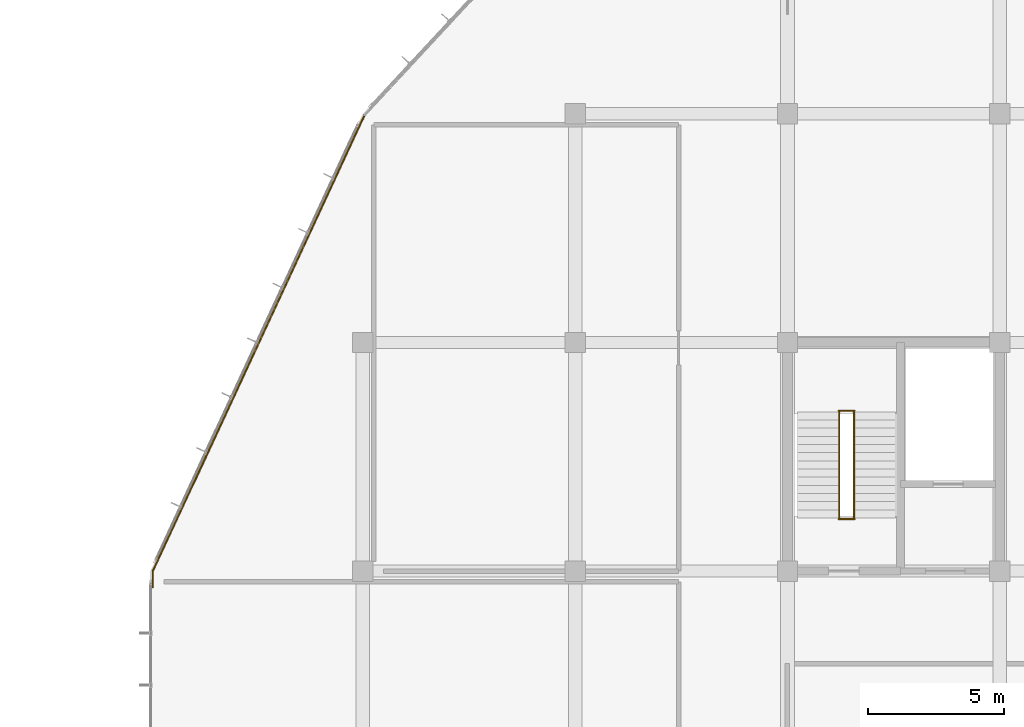
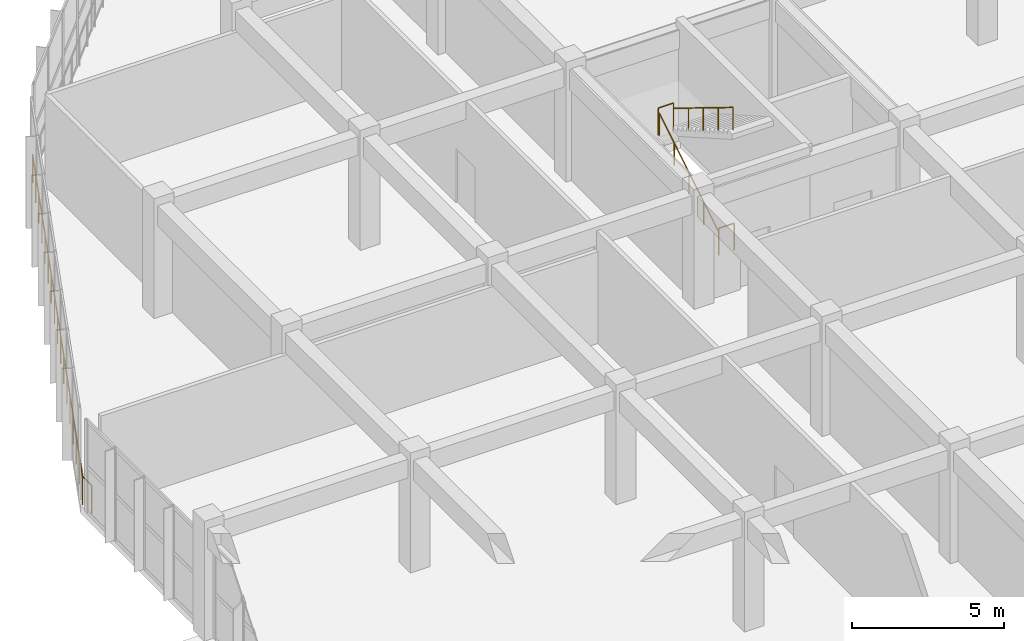
# One storey, part 170 of 175: 6 railings.
"""IFC4 building model written with IfcOpenShell, lengths in metres."""

from ifc_helpers import new_model, si_unit, direction, frame, origin, origin_2d, place, context, subcontext, project, spatial, hollow_rectangle, circle, hollow_circle, extrude, material, material_profile, profile_set, type_object, element, save


model = new_model("IFC4")

# Units and contexts
model_context = context("Model", 3, precision=1e-05, world=origin(), true_north=direction((0.0, 1.0)))
body_context = subcontext(model_context, "Body", "Model", "MODEL_VIEW")
ifc_project = project(units=[si_unit("LENGTHUNIT", "METRE"), si_unit("AREAUNIT", "SQUARE_METRE"), si_unit("VOLUMEUNIT", "CUBIC_METRE"), si_unit("PLANEANGLEUNIT", "RADIAN"), si_unit("MASSUNIT", "GRAM", prefix="KILO")], contexts=[model_context])

# Site, building, storey
site_placement = place(None, origin())
site = spatial("IfcSite", under=ifc_project, at=site_placement, CompositionType="ELEMENT")
building_placement = place(site_placement, origin())
building = spatial("IfcBuilding", under=site, at=building_placement, Name="Zizhar Promenade General Hospital", CompositionType="ELEMENT")
storey_placement = place(building_placement, frame((0.0, 0.0, 4.800048828125)))
storey = spatial("IfcBuildingStorey", under=building, at=storey_placement, Name="L01", CompositionType="ELEMENT", Elevation=4.800048828125)

# Railings
ifc_material_1 = material(Name="Steel S355", Category="steel")
ifc_material_profile_1 = material_profile(ifc_material_1, hollow_rectangle(XDim=0.06005859375, YDim=0.1201171875, WallThickness=0.00390625, at=origin_2d()))
ifc_profile_set_1 = profile_set([ifc_material_profile_1], Name="Steel S355")
railing_type_1 = type_object("IfcRailingType", Name="RL-GUARD-EXT-1150", PredefinedType="GUARDRAIL", material=ifc_profile_set_1)
railing_1_placement = place(storey_placement, frame((0.080078125, 49.800048828125, 0.0)))
element("IfcRailing", 1, at=railing_1_placement, inside=storey, type_object=railing_type_1, Name="Perimeter Safety Guardrail L01-01", PredefinedType="GUARDRAIL", context=body_context, shape_type="SweptSolid", body=[
    extrude(circle(Radius=0.02392578125, at=origin_2d()), frame((0.0, 0.0, 1.1259765625), z_axis=(0.0, 1.0, 0.0), x_axis=(-1.0, 0.0, 0.0)), (0.0, 0.0, 1.0), 0.599853515625),
    extrude(circle(Radius=0.02099609375, at=origin_2d()), origin(), (0.0, 0.0, 1.0), 1.101806640625),
    extrude(circle(Radius=0.02099609375, at=origin_2d()), frame((0.0, 0.599853515625, 0.0)), (0.0, 0.0, 1.0), 1.101806640625),
])
railing_2_placement = place(storey_placement, frame((0.080078125, 50.39990234375, 0.0)))
element("IfcRailing", 2, at=railing_2_placement, inside=storey, type_object=railing_type_1, Name="Perimeter Safety Guardrail L01-02", PredefinedType="GUARDRAIL", context=body_context, shape_type="SweptSolid", body=[
    extrude(circle(Radius=0.02392578125, at=origin_2d()), frame((0.0, 0.0, 1.1259765625), z_axis=(0.421255782786, 0.906941875463, 0.0), x_axis=(-0.906941875463, 0.421255782786, 0.0)), (0.0, 0.0, 1.0), 18.46875),
    extrude(circle(Radius=0.02099609375, at=origin_2d()), origin(), (0.0, 0.0, 1.0), 1.101806640625),
    extrude(circle(Radius=0.02099609375, at=origin_2d()), frame((0.486328125, 1.046875, 0.0)), (0.0, 0.0, 1.0), 1.101806640625),
    extrude(circle(Radius=0.02099609375, at=origin_2d()), frame((0.972412109375, 2.09375, 0.0)), (0.0, 0.0, 1.0), 1.101806640625),
    extrude(circle(Radius=0.02099609375, at=origin_2d()), frame((1.458740234375, 3.140625, 0.0)), (0.0, 0.0, 1.0), 1.101806640625),
    extrude(circle(Radius=0.02099609375, at=origin_2d()), frame((1.945068359375, 4.1875, 0.0)), (0.0, 0.0, 1.0), 1.101806640625),
    extrude(circle(Radius=0.02099609375, at=origin_2d()), frame((2.43115234375, 5.234375, 0.0)), (0.0, 0.0, 1.0), 1.101806640625),
    extrude(circle(Radius=0.02099609375, at=origin_2d()), frame((2.91748046875, 6.28125, 0.0)), (0.0, 0.0, 1.0), 1.101806640625),
    extrude(circle(Radius=0.02099609375, at=origin_2d()), frame((3.40380859375, 7.328125, 0.0)), (0.0, 0.0, 1.0), 1.101806640625),
    extrude(circle(Radius=0.02099609375, at=origin_2d()), frame((3.89013671875, 8.375, 0.0)), (0.0, 0.0, 1.0), 1.101806640625),
    extrude(circle(Radius=0.02099609375, at=origin_2d()), frame((4.376220703125, 9.421875, 0.0)), (0.0, 0.0, 1.0), 1.101806640625),
    extrude(circle(Radius=0.02099609375, at=origin_2d()), frame((4.862548828125, 10.46875, 0.0)), (0.0, 0.0, 1.0), 1.101806640625),
    extrude(circle(Radius=0.02099609375, at=origin_2d()), frame((5.348876953125, 11.515625, 0.0)), (0.0, 0.0, 1.0), 1.101806640625),
    extrude(circle(Radius=0.02099609375, at=origin_2d()), frame((5.8349609375, 12.5625, 0.0)), (0.0, 0.0, 1.0), 1.101806640625),
    extrude(circle(Radius=0.02099609375, at=origin_2d()), frame((6.3212890625, 13.609375, 0.0)), (0.0, 0.0, 1.0), 1.101806640625),
    extrude(circle(Radius=0.02099609375, at=origin_2d()), frame((6.8076171875, 14.65625, 0.0)), (0.0, 0.0, 1.0), 1.101806640625),
    extrude(circle(Radius=0.02099609375, at=origin_2d()), frame((7.293701171875, 15.703125, 0.0)), (0.0, 0.0, 1.0), 1.101806640625),
    extrude(circle(Radius=0.02099609375, at=origin_2d()), frame((7.780029296875, 16.75, 0.0)), (0.0, 0.0, 1.0), 1.101806640625),
])
ifc_material_2 = material(Name="Anodised aluminium 6063-T6", Category="aluminium")
ifc_material_profile_2 = material_profile(ifc_material_2, hollow_circle(Radius=0.06982421875, WallThickness=0.00634765625, at=origin_2d()))
ifc_profile_set_2 = profile_set([ifc_material_profile_2], Name="Anodised aluminium 6063-T6")
railing_type_2 = type_object("IfcRailingType", Name="RL-HANDRAIL-920", PredefinedType="HANDRAIL", material=ifc_profile_set_2)
railing_3_placement = place(storey_placement, frame((25.300048828125, 52.35009765625, 0.0)))
element("IfcRailing", 3, at=railing_3_placement, inside=storey, type_object=railing_type_2, Name="Stair ST-01 Flight 1 Handrail (L01)", PredefinedType="HANDRAIL", context=body_context, shape_type="SweptSolid", body=[
    extrude(circle(Radius=0.02392578125, at=origin_2d()), frame((0.0, 0.0, 0.89599609375), z_axis=(0.0, 0.851661977835, 0.524091476281), x_axis=(-1.0, 0.0, 0.0)), (0.0, 0.0, 1.0), 4.5791015625),
    extrude(circle(Radius=0.02099609375, at=origin_2d()), origin(), (0.0, 0.0, 1.0), 0.871826171875),
    extrude(circle(Radius=0.02099609375, at=origin_2d()), frame((0.0, 0.97509765625, 0.60009765625)), (0.0, 0.0, 1.0), 0.871826171875),
    extrude(circle(Radius=0.02099609375, at=origin_2d()), frame((0.0, 1.949951171875, 1.199951171875)), (0.0, 0.0, 1.0), 0.871826171875),
    extrude(circle(Radius=0.02099609375, at=origin_2d()), frame((0.0, 2.9248046875, 1.7998046875)), (0.0, 0.0, 1.0), 0.871826171875),
    extrude(circle(Radius=0.02099609375, at=origin_2d()), frame((0.0, 3.89990234375, 2.39990234375)), (0.0, 0.0, 1.0), 0.871826171875),
])
railing_4_placement = place(storey_placement, frame((25.840087890625, 56.25, 2.39990234375)))
element("IfcRailing", 4, at=railing_4_placement, inside=storey, type_object=railing_type_2, Name="Stair ST-01 Flight 2 Handrail (L01)", PredefinedType="HANDRAIL", context=body_context, shape_type="SweptSolid", body=[
    extrude(circle(Radius=0.02392578125, at=origin_2d()), frame((0.0, 0.0, 0.89599609375), z_axis=(0.0, -0.851638180308, 0.5241301459), x_axis=(1.0, 0.0, 0.0)), (0.0, 0.0, 1.0), 4.579345703125),
    extrude(circle(Radius=0.02099609375, at=origin_2d()), origin(), (0.0, 0.0, 1.0), 0.871826171875),
    extrude(circle(Radius=0.02099609375, at=origin_2d()), frame((0.0, -0.97509765625, 0.60009765625)), (0.0, 0.0, 1.0), 0.871826171875),
    extrude(circle(Radius=0.02099609375, at=origin_2d()), frame((0.0, -1.949951171875, 1.2001953125)), (0.0, 0.0, 1.0), 0.871826171875),
    extrude(circle(Radius=0.02099609375, at=origin_2d()), frame((0.0, -2.9248046875, 1.800048828125)), (0.0, 0.0, 1.0), 0.871826171875),
    extrude(circle(Radius=0.02099609375, at=origin_2d()), frame((0.0, -3.89990234375, 2.400146484375)), (0.0, 0.0, 1.0), 0.871826171875),
])
ifc_material_3 = material(Name="Steel S355", Category="steel")
ifc_material_profile_3 = material_profile(ifc_material_3, hollow_circle(Radius=0.06982421875, WallThickness=0.00634765625, at=origin_2d()))
ifc_profile_set_3 = profile_set([ifc_material_profile_3], Name="Steel S355")
railing_type_3 = type_object("IfcRailingType", Name="RL-STAIR-GUARD-1100", PredefinedType="GUARDRAIL", material=ifc_profile_set_3)
for number, where, name in (
    (5, (25.280029296875, 56.2900390625, 2.39990234375), "Stair ST-01 Half-Landing Guard (L01)"),
    (6, (25.280029296875, 52.31005859375, 0.0), "Stair ST-01 Landing Well Guard (L01)"),
):
    element("IfcRailing", number, at=place(storey_placement, frame(where)), inside=storey, type_object=railing_type_3, Name=name, PredefinedType="GUARDRAIL", context=body_context, shape_type="SweptSolid", body=[
        extrude(circle(Radius=0.02392578125, at=origin_2d()), frame((0.0, 0.0, 1.076171875), z_axis=(1.0, 0.0, 0.0), x_axis=(0.0, 1.0, 0.0)), (0.0, 0.0, 1.0), 0.580078125),
        extrude(circle(Radius=0.02099609375, at=origin_2d()), origin(), (0.0, 0.0, 1.0), 1.052001953125),
        extrude(circle(Radius=0.02099609375, at=origin_2d()), frame((0.580078125, 0.0, 0.0)), (0.0, 0.0, 1.0), 1.052001953125),
    ])

save(model, "model.ifc")
